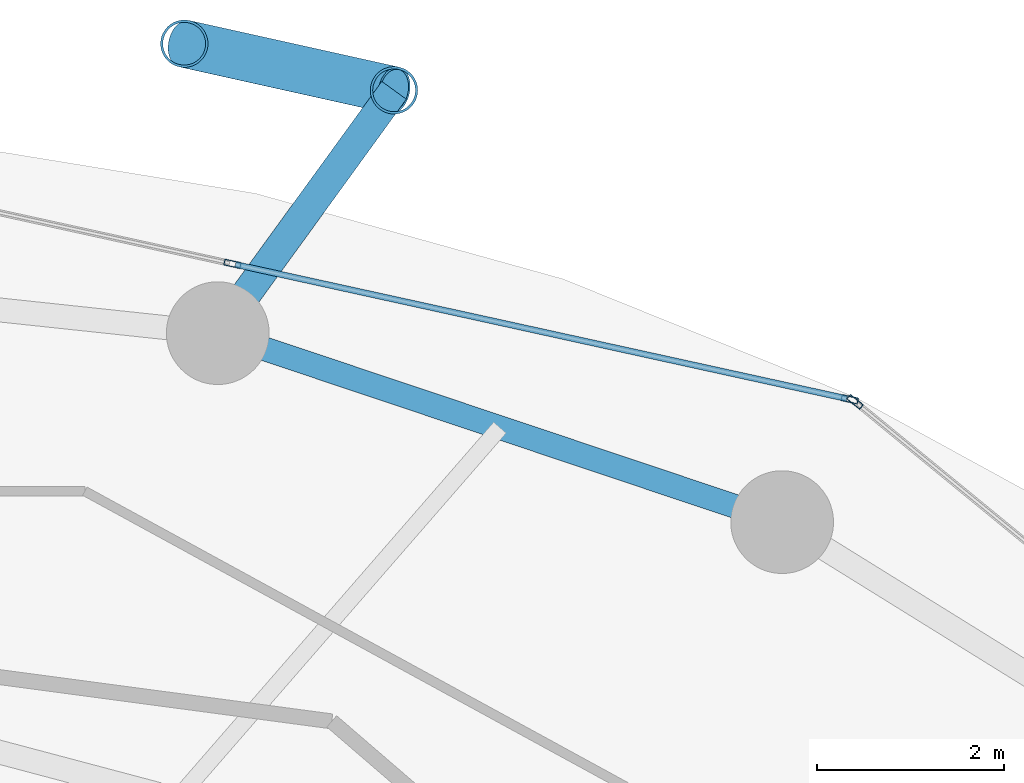
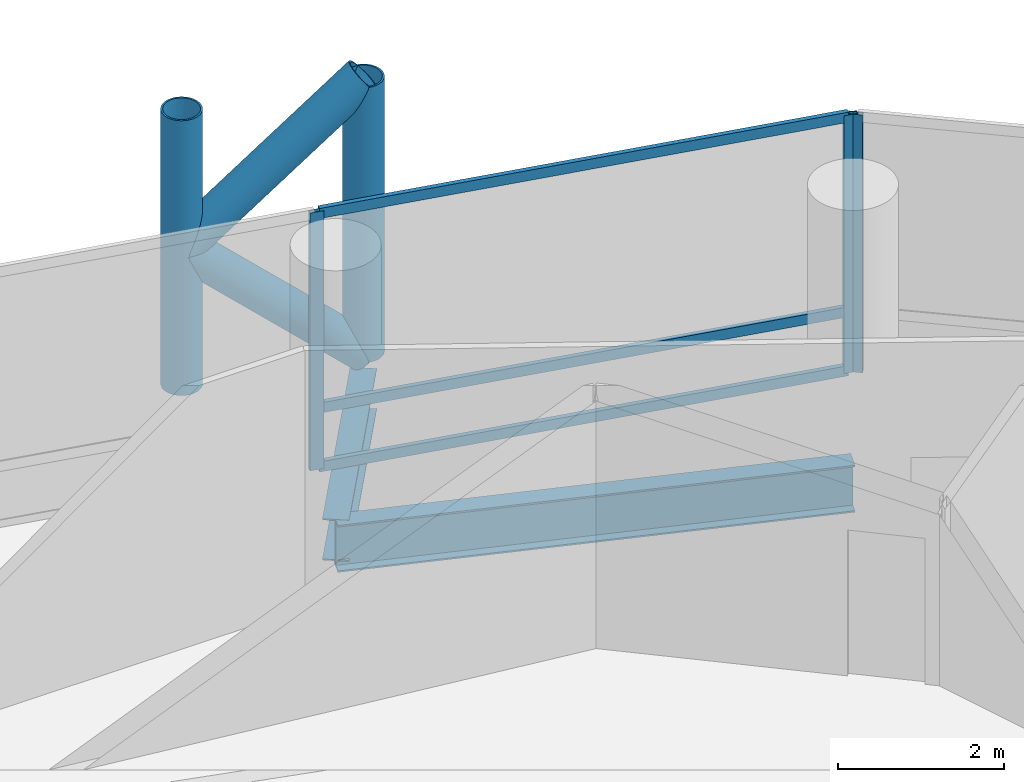
# One storey, part 18 of 25: 10 members, 2 beams, 2 elements without a shape of their own.
"""IFC4 building model written with IfcOpenShell, lengths in metres."""

from ifc_helpers import new_model, si_unit, direction, frame, origin, origin_2d, place, context, subcontext, project, spatial, hollow_rectangle, hollow_circle, i_section, extrude, material, layer, layer_set, material_profile, profile_set, type_object, element, aggregate, save


model = new_model("IFC4")

# Units and contexts
model_context = context("Model", 3, precision=1e-05, world=origin(), true_north=direction((0.0, 1.0)))
body_context = subcontext(model_context, "Body", "Model", "MODEL_VIEW")
ifc_project = project(units=[si_unit("LENGTHUNIT", "METRE"), si_unit("AREAUNIT", "SQUARE_METRE"), si_unit("VOLUMEUNIT", "CUBIC_METRE"), si_unit("PLANEANGLEUNIT", "RADIAN"), si_unit("MASSUNIT", "GRAM", prefix="KILO")], contexts=[model_context])

# Site, building, storey
site_placement = place(None, origin())
site = spatial("IfcSite", under=ifc_project, at=site_placement, CompositionType="ELEMENT")
building_placement = place(site_placement, origin())
building = spatial("IfcBuilding", under=site, at=building_placement, Name="Nuhasar Tower", CompositionType="ELEMENT")
storey_placement = place(building_placement, frame((0.0, 0.0, 65.550048828125)))
storey = spatial("IfcBuildingStorey", under=building, at=storey_placement, Name="L15", CompositionType="ELEMENT", Elevation=65.550048828125)

# Beams
ifc_material_1 = material(Name="Steel S355", Category="steel")
ifc_material_profile_1 = material_profile(ifc_material_1, i_section(OverallWidth=0.256103515625, OverallDepth=0.693115234375, WebThickness=0.014404296875, FlangeThickness=0.023681640625, at=origin_2d()), Name="W27X114")
ifc_profile_set_1 = profile_set([ifc_material_profile_1], Name="Steel S355")
beam_type_1 = type_object("IfcBeamType", Name="BM-RING-W27X114", PredefinedType="SPANDREL", material=ifc_profile_set_1)
beam_1_placement = place(storey_placement, frame((51.52490234375, 44.3369140625, -0.59716796875), z_axis=(-0.948249435708, 0.317526388949, 0.0), x_axis=(-0.317526388949, -0.948249435708, 0.0)))
element("IfcBeam", 1, at=beam_1_placement, inside=storey, type_object=beam_type_1, Name="L15 Perimeter Ring Spandrel 05", PredefinedType="SPANDREL", context=body_context, shape_type="SweptSolid", body=[
    extrude(i_section(OverallWidth=0.256103515625, OverallDepth=0.693115234375, WebThickness=0.014404296875, FlangeThickness=0.023681640625, at=origin_2d()), origin(), (0.0, 0.0, 1.0), 6.371826171875),
])
ifc_material_profile_2 = material_profile(ifc_material_1, i_section(OverallWidth=0.323974609375, OverallDepth=0.611083984375, WebThickness=0.0126953125, FlangeThickness=0.01904296875, at=origin_2d()), Name="W24X104")
ifc_profile_set_2 = profile_set([ifc_material_profile_2], Name="Steel S355")
beam_type_2 = type_object("IfcBeamType", Name="BM-TIE-W24X104", PredefinedType="BEAM", material=ifc_profile_set_2)
beam_2_placement = place(storey_placement, frame((45.48291015625, 46.360107421875, -0.554931640625), z_axis=(0.587439442414, 0.809268127073, 0.0), x_axis=(-0.809268127073, 0.587439442414, 0.0)))
element("IfcBeam", 2, at=beam_2_placement, inside=storey, type_object=beam_type_2, Name="L15 Exoskeleton Node Tie Beam 03", PredefinedType="BEAM", context=body_context, shape_type="SweptSolid", body=[
    extrude(i_section(OverallWidth=0.323974609375, OverallDepth=0.611083984375, WebThickness=0.0126953125, FlangeThickness=0.01904296875, at=origin_2d()), origin(), (0.0, 0.0, 1.0), 3.212646484375),
])

# Curtain wall, member
ifc_material_2 = material(Name="Aluminium 6063-T6", Category="aluminium")
ifc_layer = layer(ifc_material_2, 0.199951171875)
ifc_layer_set = layer_set([ifc_layer], Name="Aluminium 6063-T6")
curtain_wall_type = type_object("IfcCurtainWallType", Name="CW-Z1-OFF", PredefinedType="NOTDEFINED", material=ifc_layer_set)
curtain_wall_1_placement = place(storey_placement, origin())
curtain_wall_1 = element("IfcCurtainWall", 3, at=curtain_wall_1_placement, inside=storey, type_object=curtain_wall_type, Name="L15 Unitised Curtain Wall 02", PredefinedType="NOTDEFINED")
ifc_material_profile_3 = material_profile(ifc_material_2, hollow_rectangle(XDim=0.06494140625, YDim=0.179931640625, WallThickness=0.0048828125, at=origin_2d()), Name="CWM-2")
ifc_profile_set_3 = profile_set([ifc_material_profile_3], Name="Aluminium 6063-T6")
member_type_1 = type_object("IfcMemberType", Name="CW-MUL-S2", PredefinedType="MULLION", material=ifc_profile_set_3)
member_1_placement = place(storey_placement, frame((52.30517578125, 45.62451171875, 0.0), z_axis=(0.0, 0.0, 1.0), x_axis=(-0.633744593376, -0.773542364946, 0.0)))
member_1 = element("IfcMember", 4, at=member_1_placement, type_object=member_type_1, Name="CW-Z1 mullion 2", PredefinedType="MULLION", context=body_context, shape_type="SweptSolid", body=[
    extrude(hollow_rectangle(XDim=0.06494140625, YDim=0.179931640625, WallThickness=0.0048828125, at=origin_2d()), origin(), (0.0, 0.0, 1.0), 3.800048828125),
])
aggregate(curtain_wall_1, [member_1])

# Curtain wall, members
curtain_wall_2_placement = place(storey_placement, origin())
curtain_wall_2 = element("IfcCurtainWall", 5, at=curtain_wall_2_placement, inside=storey, type_object=curtain_wall_type, Name="L15 Unitised Curtain Wall 03", PredefinedType="NOTDEFINED")
member_2_placement = place(storey_placement, frame((52.248291015625, 45.65185546875, 0.0), z_axis=(0.0, 0.0, 1.0), x_axis=(-0.214398737637, -0.976746221544, 0.0)))
member_2 = element("IfcMember", 6, at=member_2_placement, type_object=member_type_1, Name="CW-Z1 mullion 1", PredefinedType="MULLION", context=body_context, shape_type="SweptSolid", body=[
    extrude(hollow_rectangle(XDim=0.06494140625, YDim=0.179931640625, WallThickness=0.0048828125, at=origin_2d()), origin(), (0.0, 0.0, 1.0), 3.800048828125),
])
member_3_placement = place(storey_placement, frame((45.639892578125, 47.1025390625, 0.0), z_axis=(0.0, 0.0, 1.0), x_axis=(-0.214398737637, -0.976746221544, 0.0)))
member_3 = element("IfcMember", 7, at=member_3_placement, type_object=member_type_1, Name="CW-Z1 mullion 2", PredefinedType="MULLION", context=body_context, shape_type="SweptSolid", body=[
    extrude(hollow_rectangle(XDim=0.06494140625, YDim=0.179931640625, WallThickness=0.0048828125, at=origin_2d()), origin(), (0.0, 0.0, 1.0), 3.800048828125),
])
ifc_material_profile_4 = material_profile(ifc_material_2, hollow_rectangle(XDim=0.06494140625, YDim=0.14990234375, WallThickness=0.00439453125, at=origin_2d()), Name="CWT-2")
ifc_profile_set_4 = profile_set([ifc_material_profile_4], Name="Aluminium 6063-T6")
member_type_2 = type_object("IfcMemberType", Name="CW-TRN-S2", PredefinedType="USERDEFINED", material=ifc_profile_set_4)
member_4_placement = place(storey_placement, frame((52.216552734375, 45.658935546875, 0.032470703125), z_axis=(-0.976749553792, 0.214383556196, 0.0), x_axis=(-0.214383556196, -0.976749553792, 0.0)))
member_4 = element("IfcMember", 8, at=member_4_placement, type_object=member_type_2, Name="CW-Z1 transom 1.1", ObjectType="TRANSOM", PredefinedType="USERDEFINED", context=body_context, shape_type="SweptSolid", body=[
    extrude(hollow_rectangle(XDim=0.06494140625, YDim=0.14990234375, WallThickness=0.00439453125, at=origin_2d()), origin(), (0.0, 0.0, 1.0), 6.70068359375),
])
member_5_placement = place(storey_placement, frame((52.216552734375, 45.658935546875, 0.89990234375), z_axis=(-0.976749553792, 0.214383556196, 0.0), x_axis=(-0.214383556196, -0.976749553792, 0.0)))
member_5 = element("IfcMember", 9, at=member_5_placement, type_object=member_type_2, Name="CW-Z1 transom 1.2", ObjectType="TRANSOM", PredefinedType="USERDEFINED", context=body_context, shape_type="SweptSolid", body=[
    extrude(hollow_rectangle(XDim=0.06494140625, YDim=0.14990234375, WallThickness=0.00439453125, at=origin_2d()), origin(), (0.0, 0.0, 1.0), 6.70068359375),
])
member_6_placement = place(storey_placement, frame((52.216552734375, 45.658935546875, 3.767333984375), z_axis=(-0.976749553792, 0.214383556196, 0.0), x_axis=(-0.214383556196, -0.976749553792, 0.0)))
member_6 = element("IfcMember", 10, at=member_6_placement, type_object=member_type_2, Name="CW-Z1 transom 1.3", ObjectType="TRANSOM", PredefinedType="USERDEFINED", context=body_context, shape_type="SweptSolid", body=[
    extrude(hollow_rectangle(XDim=0.06494140625, YDim=0.14990234375, WallThickness=0.00439453125, at=origin_2d()), origin(), (0.0, 0.0, 1.0), 6.70068359375),
])
aggregate(curtain_wall_2, [member_2, member_3, member_4, member_5, member_6])

# Members
ifc_material_3 = material(Name="Steel S460", Category="steel")
ifc_material_profile_5 = material_profile(ifc_material_3, hollow_circle(Radius=0.25390625, WallThickness=0.025390625, at=origin_2d()), Name="HSS508X25.4")
ifc_profile_set_5 = profile_set([ifc_material_profile_5], Name="Steel S460")
member_type_3 = type_object("IfcMemberType", Name="EXO-BRONZE-508", PredefinedType="BRACE", material=ifc_profile_set_5)
for number, where, z_axis, x_axis, name in (
    (11, (47.3701171875, 48.9599609375, 0.0), (0.0, 0.0, 1.0), (1.0, 0.0, 0.0), "L15 Exoskeleton Chord Column EC-03A"),
    (12, (45.1240234375, 49.458984375, 0.0), (0.0, 0.0, 1.0), (1.0, 0.0, 0.0), "L15 Exoskeleton Chord Column EC-03B"),
):
    element("IfcMember", number, at=place(storey_placement, frame(where, z_axis=z_axis, x_axis=x_axis)), inside=storey, type_object=member_type_3, Name=name, PredefinedType="BRACE", context=body_context, shape_type="SweptSolid", body=[
        extrude(hollow_circle(Radius=0.25390625, WallThickness=0.025390625, at=origin_2d()), origin(), (0.0, 0.0, 1.0), 4.050048828125),
    ])
member_7_placement = place(storey_placement, frame((47.3701171875, 48.9599609375, 0.0), z_axis=(-0.732821471909, 0.162813813976, 0.660654487828), x_axis=(-0.216885517571, -0.97619704582, 0.0)))
element("IfcMember", 13, at=member_7_placement, inside=storey, type_object=member_type_3, Name="L15 Bronze Diagrid Brace W1-03", PredefinedType="BRACE", context=body_context, shape_type="SweptSolid", body=[
    extrude(hollow_circle(Radius=0.25390625, WallThickness=0.025390625, at=origin_2d()), origin(), (0.0, 0.0, 1.0), 3.06494140625),
])
member_8_placement = place(storey_placement, frame((45.1240234375, 49.458984375, 2.02490234375), z_axis=(0.732782908552, -0.162805246204, 0.660699372439), x_axis=(0.216885517571, 0.97619704582, 0.0)))
element("IfcMember", 14, at=member_8_placement, inside=storey, type_object=member_type_3, Name="L15 Bronze Diagrid Brace W2-03", PredefinedType="BRACE", context=body_context, shape_type="SweptSolid", body=[
    extrude(hollow_circle(Radius=0.25390625, WallThickness=0.025390625, at=origin_2d()), origin(), (0.0, 0.0, 1.0), 3.065185546875),
])

save(model, "model.ifc")
